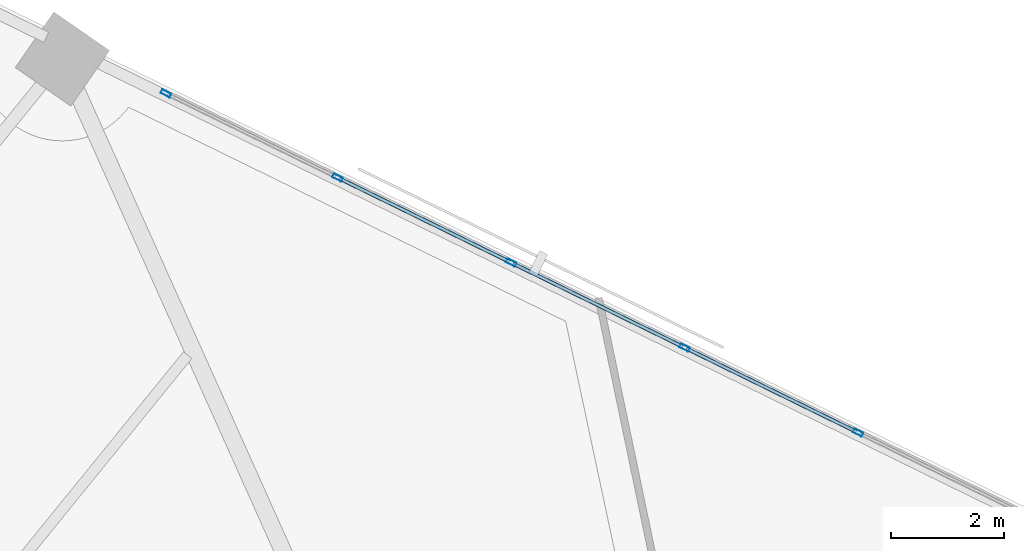
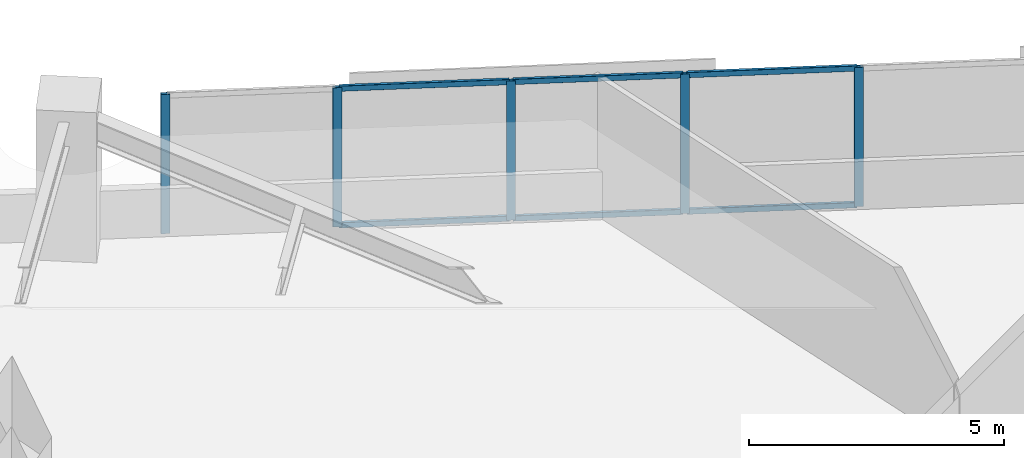
# One storey, part 10 of 18: 11 members, 1 element without a shape of its own.
"""IFC4 building model written with IfcOpenShell, lengths in metres."""

from ifc_helpers import new_model, si_unit, direction, frame, origin, origin_2d, place, context, subcontext, project, spatial, hollow_rectangle, extrude, material, material_profile, profile_set, type_object, element, aggregate, save


model = new_model("IFC4")

# Units and contexts
model_context = context("Model", 3, precision=1e-05, world=origin(), true_north=direction((0.0, 1.0)))
body_context = subcontext(model_context, "Body", "Model", "MODEL_VIEW")
ifc_project = project(units=[si_unit("LENGTHUNIT", "METRE"), si_unit("AREAUNIT", "SQUARE_METRE"), si_unit("VOLUMEUNIT", "CUBIC_METRE"), si_unit("PLANEANGLEUNIT", "RADIAN"), si_unit("MASSUNIT", "GRAM", prefix="KILO")], contexts=[model_context])

# Site, building, storey
site_placement = place(None, origin())
site = spatial("IfcSite", under=ifc_project, at=site_placement, CompositionType="ELEMENT")
building_placement = place(site_placement, origin())
building = spatial("IfcBuilding", under=site, at=building_placement, Name="Narakoshi Arena Tower", CompositionType="ELEMENT")
storey_placement = place(building_placement, frame((0.0, 0.0, 99.300048828125)))
storey = spatial("IfcBuildingStorey", under=building, at=storey_placement, Name="L26", CompositionType="ELEMENT", Elevation=99.300048828125)

# Curtain wall, members
ifc_material = material(Name="Anodised bronze aluminium 6063-T6", Category="aluminium")
curtain_wall_type = type_object("IfcCurtainWallType", Name="CW-HYP-LOW", PredefinedType="NOTDEFINED", material=ifc_material)
curtain_wall_placement = place(storey_placement, origin())
curtain_wall = element("IfcCurtainWall", 1, at=curtain_wall_placement, inside=storey, type_object=curtain_wall_type, Name="L26 Folded Hypotenuse Curtain Wall 2-1", PredefinedType="NOTDEFINED")
ifc_material_profile_1 = material_profile(ifc_material, hollow_rectangle(XDim=0.074951171875, YDim=0.179931640625, WallThickness=0.00390625, OuterFilletRadius=0.0048828125, at=origin_2d()), Name="MUL180x75x4")
ifc_profile_set_1 = profile_set([ifc_material_profile_1], Name="Anodised bronze aluminium 6063-T6")
member_type_1 = type_object("IfcMemberType", Name="MEM-MUL-180", PredefinedType="MULLION", material=ifc_profile_set_1)
member_1_placement = place(storey_placement, frame((78.41259765625, 67.01611328125, 0.0), z_axis=(0.0, 0.0, 1.0), x_axis=(-0.440004510198, -0.89799556291, 0.0)))
member_1 = element("IfcMember", 2, at=member_1_placement, type_object=member_type_1, Name="CW-01 mullion 4", PredefinedType="MULLION", context=body_context, shape_type="SweptSolid", body=[
    extrude(hollow_rectangle(XDim=0.074951171875, YDim=0.179931640625, WallThickness=0.00390625, OuterFilletRadius=0.0048828125, at=origin_2d()), origin(), (0.0, 0.0, 1.0), 3.33984375),
])
member_2_placement = place(storey_placement, frame((75.33935546875, 68.52197265625, 0.0), z_axis=(0.0, 0.0, 1.0), x_axis=(-0.440004510198, -0.89799556291, 0.0)))
member_2 = element("IfcMember", 3, at=member_2_placement, type_object=member_type_1, Name="CW-01 mullion 5", PredefinedType="MULLION", context=body_context, shape_type="SweptSolid", body=[
    extrude(hollow_rectangle(XDim=0.074951171875, YDim=0.179931640625, WallThickness=0.00390625, OuterFilletRadius=0.0048828125, at=origin_2d()), origin(), (0.0, 0.0, 1.0), 3.33984375),
])
member_3_placement = place(storey_placement, frame((72.26611328125, 70.028076171875, 0.0), z_axis=(0.0, 0.0, 1.0), x_axis=(-0.440004510198, -0.89799556291, 0.0)))
member_3 = element("IfcMember", 4, at=member_3_placement, type_object=member_type_1, Name="CW-01 mullion 6", PredefinedType="MULLION", context=body_context, shape_type="SweptSolid", body=[
    extrude(hollow_rectangle(XDim=0.074951171875, YDim=0.179931640625, WallThickness=0.00390625, OuterFilletRadius=0.0048828125, at=origin_2d()), origin(), (0.0, 0.0, 1.0), 3.33984375),
])
member_4_placement = place(storey_placement, frame((69.19287109375, 71.533935546875, 0.0), z_axis=(0.0, 0.0, 1.0), x_axis=(-0.440004510198, -0.89799556291, 0.0)))
member_4 = element("IfcMember", 5, at=member_4_placement, type_object=member_type_1, Name="CW-01 mullion 7", PredefinedType="MULLION", context=body_context, shape_type="SweptSolid", body=[
    extrude(hollow_rectangle(XDim=0.074951171875, YDim=0.179931640625, WallThickness=0.00390625, OuterFilletRadius=0.0048828125, at=origin_2d()), origin(), (0.0, 0.0, 1.0), 3.33984375),
])
member_5_placement = place(storey_placement, frame((66.153076171875, 73.023193359375, 0.0), z_axis=(0.0, 0.0, 1.0), x_axis=(-0.440004510198, -0.89799556291, 0.0)))
member_5 = element("IfcMember", 6, at=member_5_placement, type_object=member_type_1, Name="CW-01 mullion 8", PredefinedType="MULLION", context=body_context, shape_type="SweptSolid", body=[
    extrude(hollow_rectangle(XDim=0.074951171875, YDim=0.179931640625, WallThickness=0.00390625, OuterFilletRadius=0.0048828125, at=origin_2d()), origin(), (0.0, 0.0, 1.0), 3.33984375),
])
ifc_material_profile_2 = material_profile(ifc_material, hollow_rectangle(XDim=0.06494140625, YDim=0.1298828125, WallThickness=0.00390625, OuterFilletRadius=0.0048828125, at=origin_2d()), Name="TRN130x65x4")
ifc_profile_set_2 = profile_set([ifc_material_profile_2], Name="Anodised bronze aluminium 6063-T6")
member_type_2 = type_object("IfcMemberType", Name="MEM-TRN-130", PredefinedType="USERDEFINED", material=ifc_profile_set_2)
member_6_placement = place(storey_placement, frame((78.37890625, 67.03271484375, 0.032470703125), z_axis=(-0.897986843255, 0.440022305503, 0.0), x_axis=(-0.440022305503, -0.897986843255, 0.0)))
member_6 = element("IfcMember", 7, at=member_6_placement, type_object=member_type_2, Name="CW-01 transom 4.1", ObjectType="TRANSOM", PredefinedType="USERDEFINED", context=body_context, shape_type="SweptSolid", body=[
    extrude(hollow_rectangle(XDim=0.06494140625, YDim=0.1298828125, WallThickness=0.00390625, OuterFilletRadius=0.0048828125, at=origin_2d()), origin(), (0.0, 0.0, 1.0), 3.347412109375),
])
member_7_placement = place(storey_placement, frame((78.37890625, 67.03271484375, 3.307373046875), z_axis=(-0.897986843255, 0.440022305503, 0.0), x_axis=(-0.440022305503, -0.897986843255, 0.0)))
member_7 = element("IfcMember", 8, at=member_7_placement, type_object=member_type_2, Name="CW-01 transom 4.2", ObjectType="TRANSOM", PredefinedType="USERDEFINED", context=body_context, shape_type="SweptSolid", body=[
    extrude(hollow_rectangle(XDim=0.06494140625, YDim=0.1298828125, WallThickness=0.00390625, OuterFilletRadius=0.0048828125, at=origin_2d()), origin(), (0.0, 0.0, 1.0), 3.347412109375),
])
member_8_placement = place(storey_placement, frame((75.3056640625, 68.53857421875, 0.032470703125), z_axis=(-0.897986843255, 0.440022305503, 0.0), x_axis=(-0.440022305503, -0.897986843255, 0.0)))
member_8 = element("IfcMember", 9, at=member_8_placement, type_object=member_type_2, Name="CW-01 transom 5.1", ObjectType="TRANSOM", PredefinedType="USERDEFINED", context=body_context, shape_type="SweptSolid", body=[
    extrude(hollow_rectangle(XDim=0.06494140625, YDim=0.1298828125, WallThickness=0.00390625, OuterFilletRadius=0.0048828125, at=origin_2d()), origin(), (0.0, 0.0, 1.0), 3.347412109375),
])
member_9_placement = place(storey_placement, frame((75.3056640625, 68.53857421875, 3.307373046875), z_axis=(-0.897986843255, 0.440022305503, 0.0), x_axis=(-0.440022305503, -0.897986843255, 0.0)))
member_9 = element("IfcMember", 10, at=member_9_placement, type_object=member_type_2, Name="CW-01 transom 5.2", ObjectType="TRANSOM", PredefinedType="USERDEFINED", context=body_context, shape_type="SweptSolid", body=[
    extrude(hollow_rectangle(XDim=0.06494140625, YDim=0.1298828125, WallThickness=0.00390625, OuterFilletRadius=0.0048828125, at=origin_2d()), origin(), (0.0, 0.0, 1.0), 3.347412109375),
])
member_10_placement = place(storey_placement, frame((72.232421875, 70.04443359375, 0.032470703125), z_axis=(-0.897986843255, 0.440022305503, 0.0), x_axis=(-0.440022305503, -0.897986843255, 0.0)))
member_10 = element("IfcMember", 11, at=member_10_placement, type_object=member_type_2, Name="CW-01 transom 6.1", ObjectType="TRANSOM", PredefinedType="USERDEFINED", context=body_context, shape_type="SweptSolid", body=[
    extrude(hollow_rectangle(XDim=0.06494140625, YDim=0.1298828125, WallThickness=0.00390625, OuterFilletRadius=0.0048828125, at=origin_2d()), origin(), (0.0, 0.0, 1.0), 3.347412109375),
])
member_11_placement = place(storey_placement, frame((72.232421875, 70.04443359375, 3.307373046875), z_axis=(-0.897986843255, 0.440022305503, 0.0), x_axis=(-0.440022305503, -0.897986843255, 0.0)))
member_11 = element("IfcMember", 12, at=member_11_placement, type_object=member_type_2, Name="CW-01 transom 6.2", ObjectType="TRANSOM", PredefinedType="USERDEFINED", context=body_context, shape_type="SweptSolid", body=[
    extrude(hollow_rectangle(XDim=0.06494140625, YDim=0.1298828125, WallThickness=0.00390625, OuterFilletRadius=0.0048828125, at=origin_2d()), origin(), (0.0, 0.0, 1.0), 3.347412109375),
])
aggregate(curtain_wall, [member_1, member_2, member_3, member_4, member_5, member_6, member_7, member_8, member_9, member_10, member_11])

save(model, "model.ifc")
